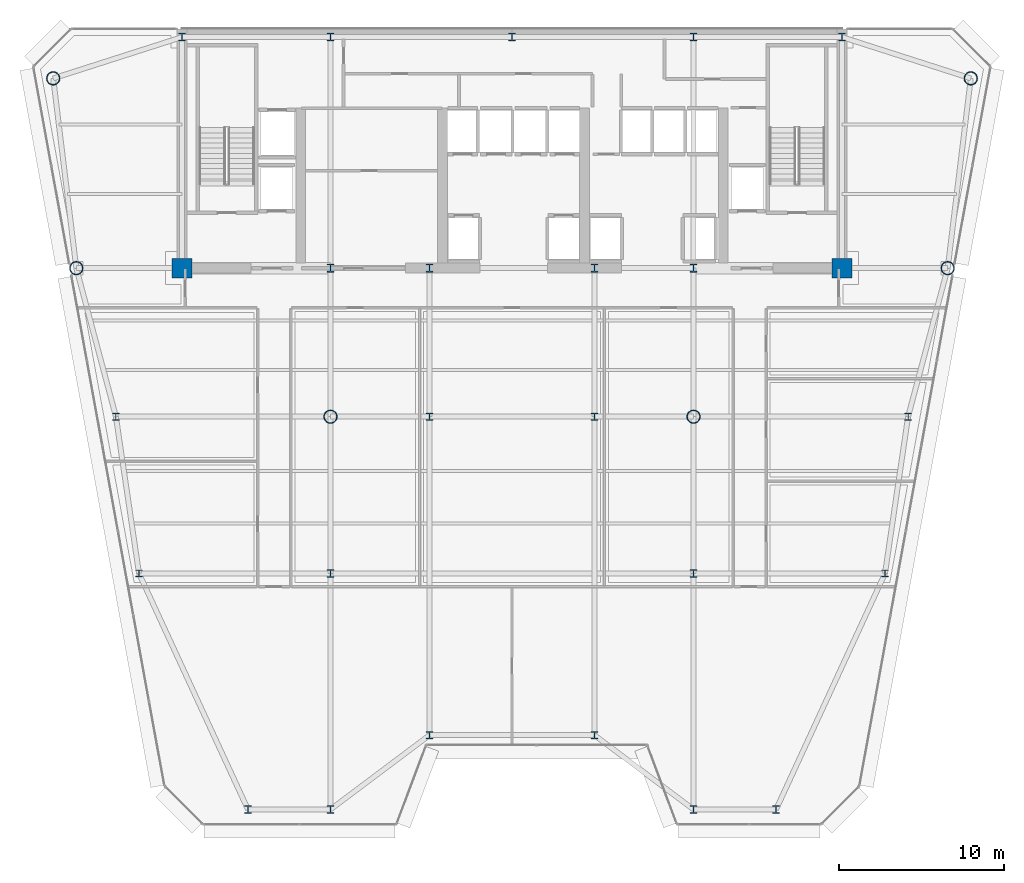
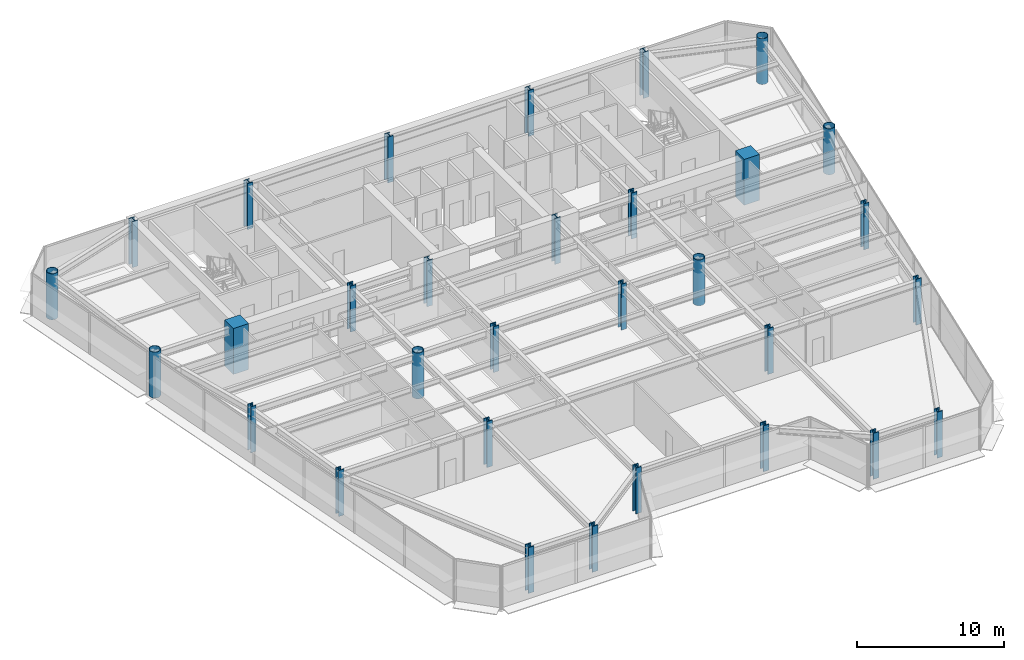
# One storey, part 1 of 17: 31 columns.
"""IFC4 building model written with IfcOpenShell, lengths in metres."""

from ifc_helpers import new_model, si_unit, direction, frame, origin, origin_2d, place, context, subcontext, project, spatial, rectangle, hollow_circle, i_section, extrude, source, transform, mapped, material, material_profile, profile_set, type_object, element, save


model = new_model("IFC4")

# Units and contexts
model_context = context("Model", 3, precision=1e-05, world=origin(), true_north=direction((0.0, 1.0)))
body_context = subcontext(model_context, "Body", "Model", "MODEL_VIEW")
ifc_project = project(units=[si_unit("LENGTHUNIT", "METRE"), si_unit("AREAUNIT", "SQUARE_METRE"), si_unit("VOLUMEUNIT", "CUBIC_METRE"), si_unit("PLANEANGLEUNIT", "RADIAN"), si_unit("MASSUNIT", "GRAM", prefix="KILO")], contexts=[model_context])

# Site, building, storey
site_placement = place(None, origin())
site = spatial("IfcSite", under=ifc_project, at=site_placement, CompositionType="ELEMENT")
building_placement = place(site_placement, origin())
building = spatial("IfcBuilding", under=site, at=building_placement, Name="Vaeldorn Concourse Tower", CompositionType="ELEMENT")
storey_placement = place(building_placement, frame((0.0, 0.0, 169.0)))
storey = spatial("IfcBuildingStorey", under=building, at=storey_placement, Name="L43", CompositionType="ELEMENT", Elevation=169.0)

# Columns
ifc_material_1 = material(Name="Concrete C50/60", Category="concrete")
ifc_material_profile_1 = material_profile(ifc_material_1, rectangle(XDim=1.199951171875, YDim=1.199951171875, at=origin_2d()), Name="RC 1200x1200")
ifc_profile_set_1 = profile_set([ifc_material_profile_1], Name="Concrete C50/60")
column_type_1 = type_object("IfcColumnType", Name="COL-RC1200", PredefinedType="COLUMN", material=ifc_profile_set_1)
shared_shape_1 = source(origin(), body_context, "Body", "SweptSolid", [
    extrude(rectangle(XDim=1.199951171875, YDim=1.199951171875, at=origin_2d()), origin(), (0.0, 0.0, 1.0), 3.800048828125),
])
for number, where, z_axis, x_axis, name in (
    (1, (14.0, 36.5, 0.0), (0.0, 0.0, 1.0), (1.0, 0.0, 0.0), "Column C-FC1 L43"),
    (2, (54.0, 36.5, 0.0), (0.0, 0.0, 1.0), (1.0, 0.0, 0.0), "Column C-FC6 L43"),
):
    element("IfcColumn", number, at=place(storey_placement, frame(where, z_axis=z_axis, x_axis=x_axis)), inside=storey, type_object=column_type_1, Name=name, PredefinedType="COLUMN", context=body_context, shape_type="MappedRepresentation", body=[
        mapped(shared_shape_1, transform((0.0, 0.0, 0.0), scale=1.0)),
    ])
ifc_material_2 = material(Name="Steel S460", Category="steel")
ifc_material_profile_2 = material_profile(ifc_material_2, i_section(OverallWidth=0.431884765625, OverallDepth=0.498046875, WebThickness=0.054931640625, FlangeThickness=0.068115234375, FilletRadius=0.014892578125, at=origin_2d()), Name="HD 400x744")
ifc_profile_set_2 = profile_set([ifc_material_profile_2], Name="Steel S460")
column_type_2 = type_object("IfcColumnType", Name="COL-HD744", PredefinedType="COLUMN", material=ifc_profile_set_2)
shared_shape_2 = source(origin(), body_context, "Body", "SweptSolid", [
    extrude(i_section(OverallWidth=0.431884765625, OverallDepth=0.498046875, WebThickness=0.054931640625, FlangeThickness=0.068115234375, FilletRadius=0.014892578125, at=origin_2d()), origin(), (0.0, 0.0, 1.0), 3.800048828125),
])
for number, where, z_axis, x_axis, name in (
    (3, (23.0, 36.5, 0.0), (0.0, 0.0, 1.0), (1.0, 0.0, 0.0), "Column C-FC2 L43"),
    (4, (29.0, 36.5, 0.0), (0.0, 0.0, 1.0), (1.0, 0.0, 0.0), "Column C-FC3 L43"),
    (5, (39.0, 36.5, 0.0), (0.0, 0.0, 1.0), (1.0, 0.0, 0.0), "Column C-FC4 L43"),
    (6, (45.0, 36.5, 0.0), (0.0, 0.0, 1.0), (1.0, 0.0, 0.0), "Column C-FC5 L43"),
    (7, (14.0, 50.5, 0.0), (0.0, 0.0, 1.0), (1.0, 0.0, 0.0), "Column C-HC1 L43"),
    (8, (23.0, 50.5, 0.0), (0.0, 0.0, 1.0), (1.0, 0.0, 0.0), "Column C-HC2 L43"),
    (9, (34.0, 50.5, 0.0), (0.0, 0.0, 1.0), (1.0, 0.0, 0.0), "Column C-HC3 L43"),
    (10, (45.0, 50.5, 0.0), (0.0, 0.0, 1.0), (1.0, 0.0, 0.0), "Column C-HC4 L43"),
    (11, (54.0, 50.5, 0.0), (0.0, 0.0, 1.0), (1.0, 0.0, 0.0), "Column C-HC5 L43"),
):
    element("IfcColumn", number, at=place(storey_placement, frame(where, z_axis=z_axis, x_axis=x_axis)), inside=storey, type_object=column_type_2, Name=name, PredefinedType="COLUMN", context=body_context, shape_type="MappedRepresentation", body=[
        mapped(shared_shape_2, transform((0.0, 0.0, 0.0), scale=1.0)),
    ])
ifc_material_profile_3 = material_profile(ifc_material_2, hollow_circle(Radius=0.406494140625, WallThickness=0.0400390625, at=origin_2d()), Name="CHS 813x40")
ifc_profile_set_3 = profile_set([ifc_material_profile_3], Name="Steel S460")
column_type_3 = type_object("IfcColumnType", Name="COL-CHS813", PredefinedType="COLUMN", material=ifc_profile_set_3)
shared_shape_3 = source(origin(), body_context, "Body", "SweptSolid", [
    extrude(hollow_circle(Radius=0.406494140625, WallThickness=0.0400390625, at=origin_2d()), origin(), (0.0, 0.0, 1.0), 3.800048828125),
])
for number, where, z_axis, x_axis, name in (
    (12, (6.199951171875, 48.0, 0.0), (0.0, 0.0, 1.0), (1.0, 0.0, 0.0), "Column C-NW1 L43"),
    (13, (7.60009765625, 36.5, 0.0), (0.0, 0.0, 1.0), (1.0, 0.0, 0.0), "Column C-NW2 L43"),
    (14, (61.800048828125, 48.0, 0.0), (0.0, 0.0, 1.0), (1.0, 0.0, 0.0), "Column C-NE1 L43"),
    (15, (60.39990234375, 36.5, 0.0), (0.0, 0.0, 1.0), (1.0, 0.0, 0.0), "Column C-NE2 L43"),
    (16, (23.0, 27.5, 0.0), (0.0, 0.0, 1.0), (1.0, 0.0, 0.0), "Column C-TW1 L43"),
    (17, (45.0, 27.5, 0.0), (0.0, 0.0, 1.0), (1.0, 0.0, 0.0), "Column C-TW4 L43"),
):
    element("IfcColumn", number, at=place(storey_placement, frame(where, z_axis=z_axis, x_axis=x_axis)), inside=storey, type_object=column_type_3, Name=name, PredefinedType="COLUMN", context=body_context, shape_type="MappedRepresentation", body=[
        mapped(shared_shape_3, transform((0.0, 0.0, 0.0), scale=1.0)),
    ])
ifc_material_3 = material(Name="Steel S355", Category="steel")
ifc_material_profile_4 = material_profile(ifc_material_3, i_section(OverallWidth=0.412109375, OverallDepth=0.43505859375, WebThickness=0.035888671875, FlangeThickness=0.050048828125, FilletRadius=0.014892578125, at=origin_2d()), Name="HD 400x463")
ifc_profile_set_4 = profile_set([ifc_material_profile_4], Name="Steel S355")
column_type_4 = type_object("IfcColumnType", Name="COL-HD463F", PredefinedType="COLUMN", material=ifc_profile_set_4)
shared_shape_4 = source(origin(), body_context, "Body", "SweptSolid", [
    extrude(i_section(OverallWidth=0.412109375, OverallDepth=0.43505859375, WebThickness=0.035888671875, FlangeThickness=0.050048828125, FilletRadius=0.014892578125, at=origin_2d()), origin(), (0.0, 0.0, 1.0), 3.800048828125),
])
for number, where, z_axis, x_axis, name in (
    (18, (10.0, 27.5, 0.0), (0.0, 0.0, 1.0), (1.0, 0.0, 0.0), "Column C-FLW1 L43"),
    (19, (11.39990234375, 18.0, 0.0), (0.0, 0.0, 1.0), (1.0, 0.0, 0.0), "Column C-FLW2 L43"),
    (20, (58.0, 27.5, 0.0), (0.0, 0.0, 1.0), (1.0, 0.0, 0.0), "Column C-FLE1 L43"),
    (21, (56.60009765625, 18.0, 0.0), (0.0, 0.0, 1.0), (1.0, 0.0, 0.0), "Column C-FLE2 L43"),
):
    element("IfcColumn", number, at=place(storey_placement, frame(where, z_axis=z_axis, x_axis=x_axis)), inside=storey, type_object=column_type_4, Name=name, PredefinedType="COLUMN", context=body_context, shape_type="MappedRepresentation", body=[
        mapped(shared_shape_4, transform((0.0, 0.0, 0.0), scale=1.0)),
    ])
ifc_material_profile_5 = material_profile(ifc_material_2, i_section(OverallWidth=0.424072265625, OverallDepth=0.47412109375, WebThickness=0.047119140625, FlangeThickness=0.06494140625, FilletRadius=0.014892578125, at=origin_2d()), Name="HD 400x634")
ifc_profile_set_5 = profile_set([ifc_material_profile_5], Name="Steel S460")
column_type_5 = type_object("IfcColumnType", Name="COL-HD634T", PredefinedType="COLUMN", material=ifc_profile_set_5)
shared_shape_5 = source(origin(), body_context, "Body", "SweptSolid", [
    extrude(i_section(OverallWidth=0.424072265625, OverallDepth=0.47412109375, WebThickness=0.047119140625, FlangeThickness=0.06494140625, FilletRadius=0.014892578125, at=origin_2d()), origin(), (0.0, 0.0, 1.0), 3.800048828125),
])
for number, where, z_axis, x_axis, name in (
    (22, (29.0, 27.5, 0.0), (0.0, 0.0, 1.0), (1.0, 0.0, 0.0), "Column C-TW2 L43"),
    (23, (39.0, 27.5, 0.0), (0.0, 0.0, 1.0), (1.0, 0.0, 0.0), "Column C-TW3 L43"),
    (24, (23.0, 18.0, 0.0), (0.0, 0.0, 1.0), (1.0, 0.0, 0.0), "Column C-TW5 L43"),
    (25, (45.0, 18.0, 0.0), (0.0, 0.0, 1.0), (1.0, 0.0, 0.0), "Column C-TW6 L43"),
    (26, (18.0, 3.699951171875, 0.0), (0.0, 0.0, 1.0), (1.0, 0.0, 0.0), "Column C-SF1 L43"),
    (27, (23.0, 3.699951171875, 0.0), (0.0, 0.0, 1.0), (1.0, 0.0, 0.0), "Column C-SF2 L43"),
    (28, (29.0, 8.199951171875, 0.0), (0.0, 0.0, 1.0), (1.0, 0.0, 0.0), "Column C-SF3 L43"),
    (29, (39.0, 8.199951171875, 0.0), (0.0, 0.0, 1.0), (1.0, 0.0, 0.0), "Column C-SF4 L43"),
    (30, (45.0, 3.699951171875, 0.0), (0.0, 0.0, 1.0), (1.0, 0.0, 0.0), "Column C-SF5 L43"),
    (31, (50.0, 3.699951171875, 0.0), (0.0, 0.0, 1.0), (1.0, 0.0, 0.0), "Column C-SF6 L43"),
):
    element("IfcColumn", number, at=place(storey_placement, frame(where, z_axis=z_axis, x_axis=x_axis)), inside=storey, type_object=column_type_5, Name=name, PredefinedType="COLUMN", context=body_context, shape_type="MappedRepresentation", body=[
        mapped(shared_shape_5, transform((0.0, 0.0, 0.0), scale=1.0)),
    ])

save(model, "model.ifc")
